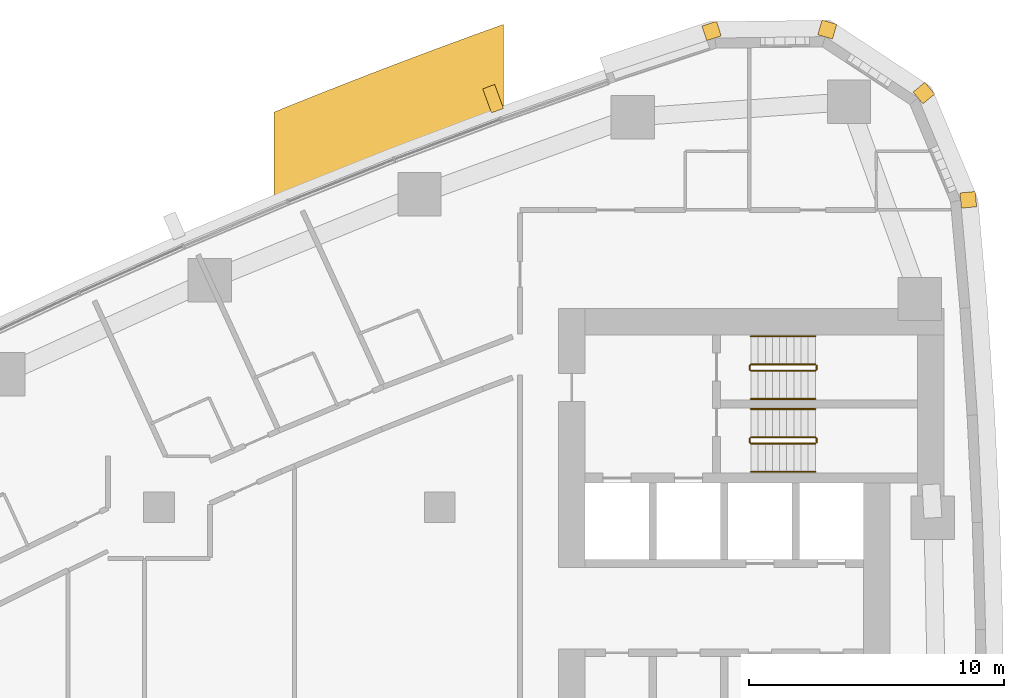
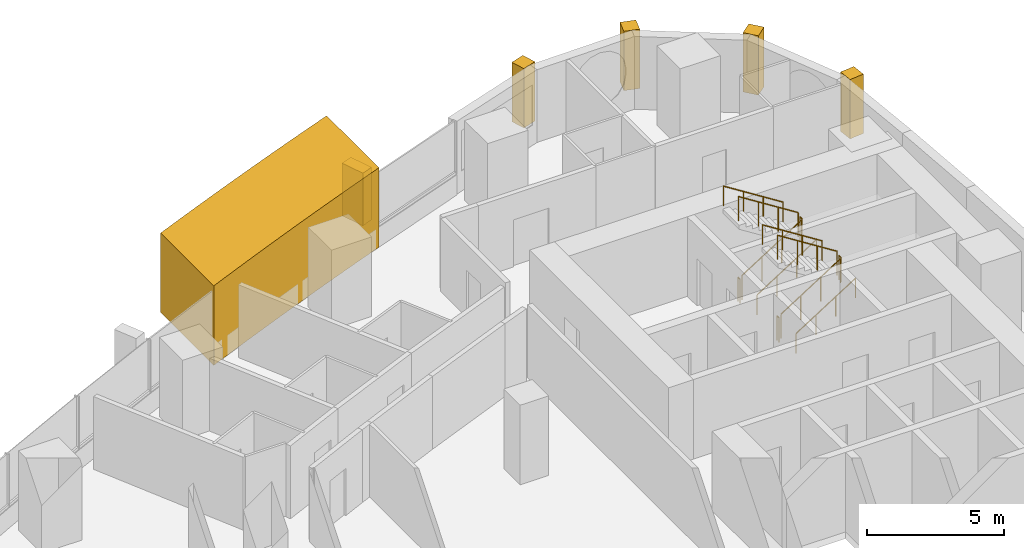
# One storey, part 17 of 17: 12 railings, 6 coverings.
"""IFC4 building model written with IfcOpenShell, lengths in metres."""

from ifc_helpers import new_model, si_unit, direction, frame, frame_2d, origin, origin_2d, place, context, subcontext, project, spatial, polyline, rectangle, circle, outline, extrude, material, layer, layer_set, type_object, element, save


model = new_model("IFC4")

# Units and contexts
model_context = context("Model", 3, precision=1e-05, world=origin(), true_north=direction((0.0, 1.0)))
body_context = subcontext(model_context, "Body", "Model", "MODEL_VIEW")
ifc_project = project(units=[si_unit("LENGTHUNIT", "METRE"), si_unit("AREAUNIT", "SQUARE_METRE"), si_unit("VOLUMEUNIT", "CUBIC_METRE"), si_unit("PLANEANGLEUNIT", "RADIAN"), si_unit("MASSUNIT", "GRAM", prefix="KILO")], contexts=[model_context])

# Site, building, storey
site_placement = place(None, origin())
site = spatial("IfcSite", under=ifc_project, at=site_placement, CompositionType="ELEMENT")
building_placement = place(site_placement, origin())
building = spatial("IfcBuilding", under=site, at=building_placement, Name="Ostrand Prow Hotel Tower", CompositionType="ELEMENT")
storey_placement = place(building_placement, frame((0.0, 0.0, 84.89990234375)))
storey = spatial("IfcBuildingStorey", under=building, at=storey_placement, Name="L19", CompositionType="ELEMENT", Elevation=84.89990234375)

# Coverings
ifc_material_1 = material(Name="Limestone cladding", Category="masonry")
ifc_layer_1 = layer(ifc_material_1, 5.0)
ifc_layer_set_1 = layer_set([ifc_layer_1], Name="Limestone cladding")
covering_type_1 = type_object("IfcCoveringType", Name="Portal jamb pilaster limestone", PredefinedType="CLADDING", material=ifc_layer_set_1)
covering_1_placement = place(storey_placement, origin())
element("IfcCovering", 1, at=covering_1_placement, inside=storey, type_object=covering_type_1, Name="Portal jamb NB L19", PredefinedType="CLADDING", context=body_context, shape_type="SweptSolid", body=[
    extrude(outline(polyline([(38.5, 20.59423828125), (39.5, 21.006103515625), (40.5, 21.412353515625), (41.5, 21.812744140625), (42.5, 22.207763671875), (43.5, 22.59716796875), (44.5, 22.98095703125), (45.5, 23.359130859375), (46.5, 23.732177734375), (47.5, 24.099609375), (47.5, 27.927490234375), (46.5, 27.566650390625), (45.5, 27.200439453125), (44.5, 26.8291015625), (43.5, 26.4521484375), (42.5, 26.06982421875), (41.5, 25.68212890625), (40.5, 25.2890625), (39.5, 24.890380859375), (38.5, 24.486083984375), (38.5, 20.59423828125)])), origin(), (0.0, 0.0, 1.0), 3.550048828125),
])
ifc_material_2 = material(Name="Limestone cladding", Category="masonry")
ifc_layer_2 = layer(ifc_material_2, 0.5)
ifc_layer_set_2 = layer_set([ifc_layer_2], Name="Limestone cladding")
covering_type_2 = type_object("IfcCoveringType", Name="Precast stone fin 500x900", PredefinedType="CLADDING", material=ifc_layer_set_2)
covering_2_placement = place(storey_placement, frame((47.265380859375, 24.546142578125, 0.900146484375), z_axis=(0.0, 0.0, 1.0), x_axis=(-0.342762160206, 0.93942221686, 0.0)))
element("IfcCovering", 2, at=covering_2_placement, inside=storey, type_object=covering_type_2, Name="Stone fin N 2", PredefinedType="CLADDING", context=body_context, shape_type="SweptSolid", body=[
    extrude(rectangle(XDim=1.0, YDim=0.5, at=frame_2d((0.5, 0.0))), origin(), (0.0, 0.0, 1.0), 2.349853515625),
])
ifc_material_3 = material(Name="Limestone cladding", Category="masonry")
ifc_layer_3 = layer(ifc_material_3, 0.60009765625)
ifc_layer_set_3 = layer_set([ifc_layer_3], Name="Limestone cladding")
covering_type_3 = type_object("IfcCoveringType", Name="Precast stone prow rib 600x600", PredefinedType="CLADDING", material=ifc_layer_set_3)
for number, where, z_axis, x_axis, name in (
    (3, (65.41650390625, 21.02099609375, 0.60009765625), (0.0, 0.0, 1.0), (0.99529571972, 0.096883591531, 0.0), "Stone corner rib 15a"),
    (4, (63.74365234375, 25.043212890625, 0.60009765625), (0.0, 0.0, 1.0), (0.770318500913, 0.637659319034, 0.0), "Stone corner rib 16a"),
):
    element("IfcCovering", number, at=place(storey_placement, frame(where, z_axis=z_axis, x_axis=x_axis)), inside=storey, type_object=covering_type_3, Name=name, PredefinedType="CLADDING", context=body_context, shape_type="SweptSolid", body=[
        extrude(rectangle(XDim=0.599853515625, YDim=0.60009765625, at=frame_2d((0.2998046875, 0.0))), origin(), (0.0, 0.0, 1.0), 2.64990234375),
    ])
covering_3_placement = place(storey_placement, frame((60.104736328125, 27.437744140625, 0.60009765625), z_axis=(0.0, 0.0, 1.0), x_axis=(0.280734221166, 0.959785547436, 0.0)))
element("IfcCovering", 5, at=covering_3_placement, inside=storey, type_object=covering_type_3, Name="Stone corner rib 17a", PredefinedType="CLADDING", context=body_context, shape_type="SweptSolid", body=[
    extrude(rectangle(XDim=0.60009765625, YDim=0.60009765625, at=frame_2d((0.300048828125, 0.0))), origin(), (0.0, 0.0, 1.0), 2.64990234375),
])
covering_4_placement = place(storey_placement, frame((55.7490234375, 27.3828125, 0.60009765625), z_axis=(0.0, 0.0, 1.0), x_axis=(-0.305218682065, 0.952282288042, 0.0)))
element("IfcCovering", 6, at=covering_4_placement, inside=storey, type_object=covering_type_3, Name="Stone corner rib 17b", PredefinedType="CLADDING", context=body_context, shape_type="SweptSolid", body=[
    extrude(rectangle(XDim=0.599853515625, YDim=0.60009765625, at=frame_2d((0.2998046875, 0.0))), origin(), (0.0, 0.0, 1.0), 2.64990234375),
])

# Railings
ifc_material_4 = material(Name="Painted steel", Category="steel")
railing_type_1 = type_object("IfcRailingType", Name="Stair guard 1100", PredefinedType="GUARDRAIL", material=ifc_material_4)
railing_1_placement = place(storey_placement, frame((57.199951171875, 11.5, 0.177490234375)))
element("IfcRailing", 7, at=railing_1_placement, inside=storey, type_object=railing_type_1, Name="L19 ST1C stair guard 1", PredefinedType="GUARDRAIL", context=body_context, shape_type="SweptSolid", body=[
    extrude(circle(Radius=0.02392578125, at=origin_2d()), frame((0.0, 0.0, 1.076171875), z_axis=(0.84456994832, 0.0, 0.535445237532), x_axis=(0.0, 1.0, 0.0)), (0.0, 0.0, 1.0), 2.98388671875),
    extrude(circle(Radius=0.02099609375, at=origin_2d()), origin(), (0.0, 0.0, 1.0), 1.052001953125),
    extrude(circle(Radius=0.02099609375, at=origin_2d()), frame((0.840087890625, 0.0, 0.532470703125)), (0.0, 0.0, 1.0), 1.052001953125),
    extrude(circle(Radius=0.02099609375, at=origin_2d()), frame((1.679931640625, 0.0, 1.065185546875)), (0.0, 0.0, 1.0), 1.052001953125),
    extrude(circle(Radius=0.02099609375, at=origin_2d()), frame((2.52001953125, 0.0, 1.59765625)), (0.0, 0.0, 1.0), 1.052001953125),
])
railing_2_placement = place(storey_placement, frame((59.77001953125, 11.550048828125, 1.775146484375)))
element("IfcRailing", 8, at=railing_2_placement, inside=storey, type_object=railing_type_1, Name="L19 ST1C stair guard 2", PredefinedType="GUARDRAIL", context=body_context, shape_type="SweptSolid", body=[
    extrude(circle(Radius=0.02392578125, at=origin_2d()), frame((0.0, 0.0, 1.076171875), z_axis=(0.0, 1.0, 0.0), x_axis=(-1.0, 0.0, 0.0)), (0.0, 0.0, 1.0), 0.14990234375),
    extrude(circle(Radius=0.02099609375, at=origin_2d()), origin(), (0.0, 0.0, 1.0), 1.052001953125),
    extrude(circle(Radius=0.02099609375, at=origin_2d()), frame((0.0, 0.14990234375, 0.0)), (0.0, 0.0, 1.0), 1.052001953125),
])
railing_3_placement = place(storey_placement, frame((59.719970703125, 11.75, 1.95263671875)))
element("IfcRailing", 9, at=railing_3_placement, inside=storey, type_object=railing_type_1, Name="L19 ST1C stair guard 3", PredefinedType="GUARDRAIL", context=body_context, shape_type="SweptSolid", body=[
    extrude(circle(Radius=0.02392578125, at=origin_2d()), frame((0.0, 0.0, 1.076171875), z_axis=(-0.84460694969, 0.0, 0.535386869969), x_axis=(0.0, -1.0, 0.0)), (0.0, 0.0, 1.0), 2.983642578125),
    extrude(circle(Radius=0.02099609375, at=origin_2d()), origin(), (0.0, 0.0, 1.0), 1.052001953125),
    extrude(circle(Radius=0.02099609375, at=origin_2d()), frame((-0.840087890625, 0.0, 0.532470703125)), (0.0, 0.0, 1.0), 1.052001953125),
    extrude(circle(Radius=0.02099609375, at=origin_2d()), frame((-1.679931640625, 0.0, 1.06494140625)), (0.0, 0.0, 1.0), 1.052001953125),
    extrude(circle(Radius=0.02099609375, at=origin_2d()), frame((-2.52001953125, 0.0, 1.597412109375)), (0.0, 0.0, 1.0), 1.052001953125),
])
railing_4_placement = place(storey_placement, frame((57.14990234375, 11.550048828125, 0.0)))
element("IfcRailing", 10, at=railing_4_placement, inside=storey, type_object=railing_type_1, Name="L19 ST1C stair guard 4", PredefinedType="GUARDRAIL", context=body_context, shape_type="SweptSolid", body=[
    extrude(circle(Radius=0.02392578125, at=origin_2d()), frame((0.0, 0.0, 1.076171875), z_axis=(0.0, 1.0, 0.0), x_axis=(-1.0, 0.0, 0.0)), (0.0, 0.0, 1.0), 0.14990234375),
    extrude(circle(Radius=0.02099609375, at=origin_2d()), origin(), (0.0, 0.0, 1.0), 1.052001953125),
    extrude(circle(Radius=0.02099609375, at=origin_2d()), frame((0.0, 0.14990234375, 0.0)), (0.0, 0.0, 1.0), 1.052001953125),
])
railing_5_placement = place(storey_placement, frame((57.199951171875, 14.35009765625, 0.177490234375)))
element("IfcRailing", 11, at=railing_5_placement, inside=storey, type_object=railing_type_1, Name="L19 ST3C stair guard 1", PredefinedType="GUARDRAIL", context=body_context, shape_type="SweptSolid", body=[
    extrude(circle(Radius=0.02392578125, at=origin_2d()), frame((0.0, 0.0, 1.076171875), z_axis=(0.84456994832, 0.0, 0.535445237532), x_axis=(0.0, 1.0, 0.0)), (0.0, 0.0, 1.0), 2.98388671875),
    extrude(circle(Radius=0.02099609375, at=origin_2d()), origin(), (0.0, 0.0, 1.0), 1.052001953125),
    extrude(circle(Radius=0.02099609375, at=origin_2d()), frame((0.840087890625, 0.0, 0.532470703125)), (0.0, 0.0, 1.0), 1.052001953125),
    extrude(circle(Radius=0.02099609375, at=origin_2d()), frame((1.679931640625, 0.0, 1.065185546875)), (0.0, 0.0, 1.0), 1.052001953125),
    extrude(circle(Radius=0.02099609375, at=origin_2d()), frame((2.52001953125, 0.0, 1.59765625)), (0.0, 0.0, 1.0), 1.052001953125),
])
railing_6_placement = place(storey_placement, frame((59.77001953125, 14.39990234375, 1.775146484375)))
element("IfcRailing", 12, at=railing_6_placement, inside=storey, type_object=railing_type_1, Name="L19 ST3C stair guard 2", PredefinedType="GUARDRAIL", context=body_context, shape_type="SweptSolid", body=[
    extrude(circle(Radius=0.02392578125, at=origin_2d()), frame((0.0, 0.0, 1.076171875), z_axis=(0.0, 1.0, 0.0), x_axis=(-1.0, 0.0, 0.0)), (0.0, 0.0, 1.0), 0.150146484375),
    extrude(circle(Radius=0.02099609375, at=origin_2d()), origin(), (0.0, 0.0, 1.0), 1.052001953125),
    extrude(circle(Radius=0.02099609375, at=origin_2d()), frame((0.0, 0.150146484375, 0.0)), (0.0, 0.0, 1.0), 1.052001953125),
])
railing_7_placement = place(storey_placement, frame((59.719970703125, 14.60009765625, 1.95263671875)))
element("IfcRailing", 13, at=railing_7_placement, inside=storey, type_object=railing_type_1, Name="L19 ST3C stair guard 3", PredefinedType="GUARDRAIL", context=body_context, shape_type="SweptSolid", body=[
    extrude(circle(Radius=0.02392578125, at=origin_2d()), frame((0.0, 0.0, 1.076171875), z_axis=(-0.84460694969, 0.0, 0.535386869969), x_axis=(0.0, -1.0, 0.0)), (0.0, 0.0, 1.0), 2.983642578125),
    extrude(circle(Radius=0.02099609375, at=origin_2d()), origin(), (0.0, 0.0, 1.0), 1.052001953125),
    extrude(circle(Radius=0.02099609375, at=origin_2d()), frame((-0.840087890625, 0.0, 0.532470703125)), (0.0, 0.0, 1.0), 1.052001953125),
    extrude(circle(Radius=0.02099609375, at=origin_2d()), frame((-1.679931640625, 0.0, 1.06494140625)), (0.0, 0.0, 1.0), 1.052001953125),
    extrude(circle(Radius=0.02099609375, at=origin_2d()), frame((-2.52001953125, 0.0, 1.597412109375)), (0.0, 0.0, 1.0), 1.052001953125),
])
railing_8_placement = place(storey_placement, frame((57.14990234375, 14.39990234375, 0.0)))
element("IfcRailing", 14, at=railing_8_placement, inside=storey, type_object=railing_type_1, Name="L19 ST3C stair guard 4", PredefinedType="GUARDRAIL", context=body_context, shape_type="SweptSolid", body=[
    extrude(circle(Radius=0.02392578125, at=origin_2d()), frame((0.0, 0.0, 1.076171875), z_axis=(0.0, 1.0, 0.0), x_axis=(-1.0, 0.0, 0.0)), (0.0, 0.0, 1.0), 0.150146484375),
    extrude(circle(Radius=0.02099609375, at=origin_2d()), origin(), (0.0, 0.0, 1.0), 1.052001953125),
    extrude(circle(Radius=0.02099609375, at=origin_2d()), frame((0.0, 0.150146484375, 0.0)), (0.0, 0.0, 1.0), 1.052001953125),
])
ifc_material_5 = material(Name="Stainless steel", Category="steel")
railing_type_2 = type_object("IfcRailingType", Name="Stair handrail 900", PredefinedType="HANDRAIL", material=ifc_material_5)
railing_9_placement = place(storey_placement, frame((57.199951171875, 10.39990234375, 0.177490234375)))
element("IfcRailing", 15, at=railing_9_placement, inside=storey, type_object=railing_type_2, Name="L19 ST1C stair handrail 1", PredefinedType="HANDRAIL", context=body_context, shape_type="SweptSolid", body=[
    extrude(circle(Radius=0.02392578125, at=origin_2d()), frame((0.0, 0.0, 0.8759765625), z_axis=(0.84456994832, 0.0, 0.535445237532), x_axis=(0.0, 1.0, 0.0)), (0.0, 0.0, 1.0), 2.98388671875),
    extrude(circle(Radius=0.02099609375, at=origin_2d()), origin(), (0.0, 0.0, 1.0), 0.851806640625),
    extrude(circle(Radius=0.02099609375, at=origin_2d()), frame((0.840087890625, 0.0, 0.532470703125)), (0.0, 0.0, 1.0), 0.851806640625),
    extrude(circle(Radius=0.02099609375, at=origin_2d()), frame((1.679931640625, 0.0, 1.065185546875)), (0.0, 0.0, 1.0), 0.851806640625),
    extrude(circle(Radius=0.02099609375, at=origin_2d()), frame((2.52001953125, 0.0, 1.59765625)), (0.0, 0.0, 1.0), 0.851806640625),
])
railing_10_placement = place(storey_placement, frame((59.719970703125, 12.85009765625, 1.95263671875)))
element("IfcRailing", 16, at=railing_10_placement, inside=storey, type_object=railing_type_2, Name="L19 ST1C stair handrail 2", PredefinedType="HANDRAIL", context=body_context, shape_type="SweptSolid", body=[
    extrude(circle(Radius=0.02392578125, at=origin_2d()), frame((0.0, 0.0, 0.8759765625), z_axis=(-0.84460694969, 0.0, 0.535386869969), x_axis=(0.0, -1.0, 0.0)), (0.0, 0.0, 1.0), 2.983642578125),
    extrude(circle(Radius=0.02099609375, at=origin_2d()), origin(), (0.0, 0.0, 1.0), 0.851806640625),
    extrude(circle(Radius=0.02099609375, at=origin_2d()), frame((-0.840087890625, 0.0, 0.532470703125)), (0.0, 0.0, 1.0), 0.851806640625),
    extrude(circle(Radius=0.02099609375, at=origin_2d()), frame((-1.679931640625, 0.0, 1.06494140625)), (0.0, 0.0, 1.0), 0.851806640625),
    extrude(circle(Radius=0.02099609375, at=origin_2d()), frame((-2.52001953125, 0.0, 1.597412109375)), (0.0, 0.0, 1.0), 0.851806640625),
])
railing_11_placement = place(storey_placement, frame((57.199951171875, 13.25, 0.177490234375)))
element("IfcRailing", 17, at=railing_11_placement, inside=storey, type_object=railing_type_2, Name="L19 ST3C stair handrail 1", PredefinedType="HANDRAIL", context=body_context, shape_type="SweptSolid", body=[
    extrude(circle(Radius=0.02392578125, at=origin_2d()), frame((0.0, 0.0, 0.8759765625), z_axis=(0.84456994832, 0.0, 0.535445237532), x_axis=(0.0, 1.0, 0.0)), (0.0, 0.0, 1.0), 2.98388671875),
    extrude(circle(Radius=0.02099609375, at=origin_2d()), origin(), (0.0, 0.0, 1.0), 0.851806640625),
    extrude(circle(Radius=0.02099609375, at=origin_2d()), frame((0.840087890625, 0.0, 0.532470703125)), (0.0, 0.0, 1.0), 0.851806640625),
    extrude(circle(Radius=0.02099609375, at=origin_2d()), frame((1.679931640625, 0.0, 1.065185546875)), (0.0, 0.0, 1.0), 0.851806640625),
    extrude(circle(Radius=0.02099609375, at=origin_2d()), frame((2.52001953125, 0.0, 1.59765625)), (0.0, 0.0, 1.0), 0.851806640625),
])
railing_12_placement = place(storey_placement, frame((59.719970703125, 15.699951171875, 1.95263671875)))
element("IfcRailing", 18, at=railing_12_placement, inside=storey, type_object=railing_type_2, Name="L19 ST3C stair handrail 2", PredefinedType="HANDRAIL", context=body_context, shape_type="SweptSolid", body=[
    extrude(circle(Radius=0.02392578125, at=origin_2d()), frame((0.0, 0.0, 0.8759765625), z_axis=(-0.84460694969, 0.0, 0.535386869969), x_axis=(0.0, -1.0, 0.0)), (0.0, 0.0, 1.0), 2.983642578125),
    extrude(circle(Radius=0.02099609375, at=origin_2d()), origin(), (0.0, 0.0, 1.0), 0.851806640625),
    extrude(circle(Radius=0.02099609375, at=origin_2d()), frame((-0.840087890625, 0.0, 0.532470703125)), (0.0, 0.0, 1.0), 0.851806640625),
    extrude(circle(Radius=0.02099609375, at=origin_2d()), frame((-1.679931640625, 0.0, 1.06494140625)), (0.0, 0.0, 1.0), 0.851806640625),
    extrude(circle(Radius=0.02099609375, at=origin_2d()), frame((-2.52001953125, 0.0, 1.597412109375)), (0.0, 0.0, 1.0), 0.851806640625),
])

save(model, "model.ifc")
